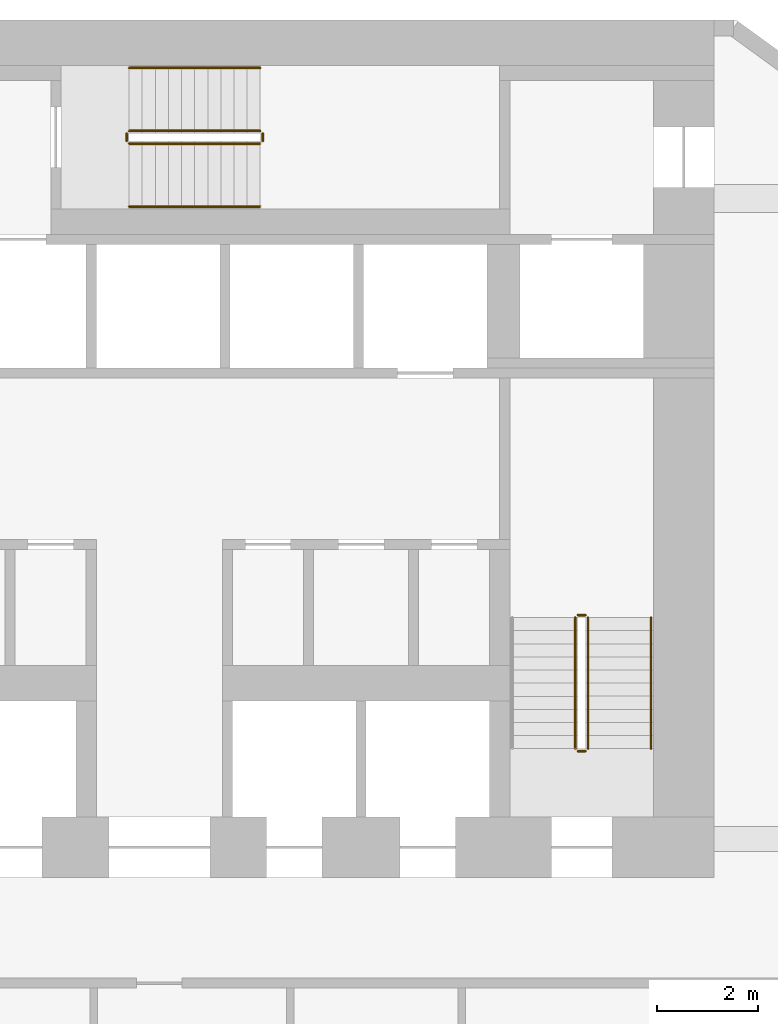
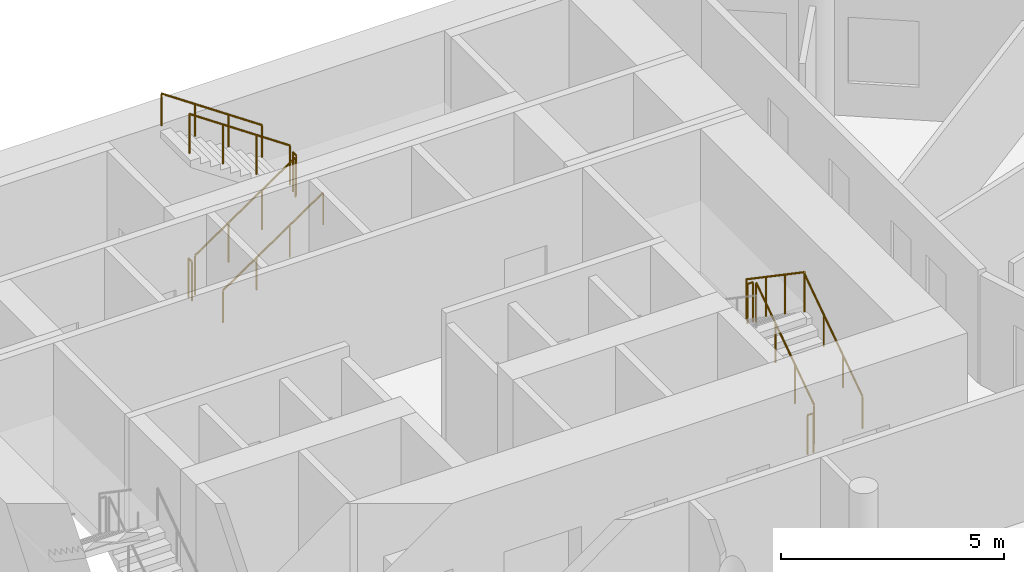
# One storey, part 9 of 9: 11 railings.
"""IFC4 building model written with IfcOpenShell, lengths in metres."""

from ifc_helpers import new_model, si_unit, direction, frame, origin, origin_2d, place, context, subcontext, project, spatial, circle, extrude, material, type_object, element, save


model = new_model("IFC4")

# Units and contexts
model_context = context("Model", 3, precision=1e-05, world=origin(), true_north=direction((0.0, 1.0)))
body_context = subcontext(model_context, "Body", "Model", "MODEL_VIEW")
ifc_project = project(units=[si_unit("LENGTHUNIT", "METRE"), si_unit("AREAUNIT", "SQUARE_METRE"), si_unit("VOLUMEUNIT", "CUBIC_METRE"), si_unit("PLANEANGLEUNIT", "RADIAN"), si_unit("MASSUNIT", "GRAM", prefix="KILO")], contexts=[model_context])

# Site, building, storey
site_placement = place(None, origin())
site = spatial("IfcSite", under=ifc_project, at=site_placement, CompositionType="ELEMENT")
building_placement = place(site_placement, origin())
building = spatial("IfcBuilding", under=site, at=building_placement, Name="White Candle Pilgrim Tower", CompositionType="ELEMENT")
storey_placement = place(building_placement, frame((0.0, 0.0, 58.5)))
storey = spatial("IfcBuildingStorey", under=building, at=storey_placement, Name="L11", CompositionType="ELEMENT", Elevation=58.5)

# Railings
ifc_material = material(Name="Stainless steel", Category="steel")
railing_type_1 = type_object("IfcRailingType", Name="Stair guard stainless steel 1100 mm", PredefinedType="GUARDRAIL", material=ifc_material)
railing_1_placement = place(storey_placement, frame((78.5, 73.550048828125, 0.17724609375)))
element("IfcRailing", 1, at=railing_1_placement, inside=storey, type_object=railing_type_1, Name="L11 ST2 stair guard 1", PredefinedType="GUARDRAIL", context=body_context, shape_type="SweptSolid", body=[
    extrude(circle(Radius=0.02392578125, at=origin_2d()), frame((0.0, 0.0, 1.076171875), z_axis=(0.0, 0.826215852431, 0.563353676824), x_axis=(-1.0, 0.0, 0.0)), (0.0, 0.0, 1.0), 3.146728515625),
    extrude(circle(Radius=0.02099609375, at=origin_2d()), origin(), (0.0, 0.0, 1.0), 1.052001953125),
    extrude(circle(Radius=0.02099609375, at=origin_2d()), frame((0.0, 0.86669921875, 0.5908203125)), (0.0, 0.0, 1.0), 1.052001953125),
    extrude(circle(Radius=0.02099609375, at=origin_2d()), frame((0.0, 1.733154296875, 1.181884765625)), (0.0, 0.0, 1.0), 1.052001953125),
    extrude(circle(Radius=0.02099609375, at=origin_2d()), frame((0.0, 2.599853515625, 1.772705078125)), (0.0, 0.0, 1.0), 1.052001953125),
])
railing_2_placement = place(storey_placement, frame((78.449951171875, 76.199951171875, 1.949951171875)))
element("IfcRailing", 2, at=railing_2_placement, inside=storey, type_object=railing_type_1, Name="L11 ST2 stair guard 2", PredefinedType="GUARDRAIL", context=body_context, shape_type="SweptSolid", body=[
    extrude(circle(Radius=0.02392578125, at=origin_2d()), frame((0.0, 0.0, 1.076171875), z_axis=(-1.0, 0.0, 0.0), x_axis=(0.0, -1.0, 0.0)), (0.0, 0.0, 1.0), 0.14990234375),
    extrude(circle(Radius=0.02099609375, at=origin_2d()), origin(), (0.0, 0.0, 1.0), 1.052001953125),
    extrude(circle(Radius=0.02099609375, at=origin_2d()), frame((-0.14990234375, 0.0, 0.0)), (0.0, 0.0, 1.0), 1.052001953125),
])
railing_3_placement = place(storey_placement, frame((78.25, 76.14990234375, 2.127197265625)))
element("IfcRailing", 3, at=railing_3_placement, inside=storey, type_object=railing_type_1, Name="L11 ST2 stair guard 3", PredefinedType="GUARDRAIL", context=body_context, shape_type="SweptSolid", body=[
    extrude(circle(Radius=0.02392578125, at=origin_2d()), frame((0.0, 0.0, 1.076171875), z_axis=(0.0, -0.826215852431, 0.563353676824), x_axis=(1.0, 0.0, 0.0)), (0.0, 0.0, 1.0), 3.146728515625),
    extrude(circle(Radius=0.02099609375, at=origin_2d()), origin(), (0.0, 0.0, 1.0), 1.052001953125),
    extrude(circle(Radius=0.02099609375, at=origin_2d()), frame((0.0, -0.86669921875, 0.5908203125)), (0.0, 0.0, 1.0), 1.052001953125),
    extrude(circle(Radius=0.02099609375, at=origin_2d()), frame((0.0, -1.733154296875, 1.181884765625)), (0.0, 0.0, 1.0), 1.052001953125),
    extrude(circle(Radius=0.02099609375, at=origin_2d()), frame((0.0, -2.599853515625, 1.772705078125)), (0.0, 0.0, 1.0), 1.052001953125),
])
railing_4_placement = place(storey_placement, frame((78.449951171875, 73.5, 0.0)))
element("IfcRailing", 4, at=railing_4_placement, inside=storey, type_object=railing_type_1, Name="L11 ST2 stair guard 4", PredefinedType="GUARDRAIL", context=body_context, shape_type="SweptSolid", body=[
    extrude(circle(Radius=0.02392578125, at=origin_2d()), frame((0.0, 0.0, 1.076171875), z_axis=(-1.0, 0.0, 0.0), x_axis=(0.0, -1.0, 0.0)), (0.0, 0.0, 1.0), 0.14990234375),
    extrude(circle(Radius=0.02099609375, at=origin_2d()), origin(), (0.0, 0.0, 1.0), 1.052001953125),
    extrude(circle(Radius=0.02099609375, at=origin_2d()), frame((-0.14990234375, 0.0, 0.0)), (0.0, 0.0, 1.0), 1.052001953125),
])
railing_5_placement = place(storey_placement, frame((69.39990234375, 85.550048828125, 0.17724609375)))
element("IfcRailing", 5, at=railing_5_placement, inside=storey, type_object=railing_type_1, Name="L11 ST3 stair guard 1", PredefinedType="GUARDRAIL", context=body_context, shape_type="SweptSolid", body=[
    extrude(circle(Radius=0.02392578125, at=origin_2d()), frame((0.0, 0.0, 1.076171875), z_axis=(0.826240473404, 0.0, 0.563317565952), x_axis=(0.0, 1.0, 0.0)), (0.0, 0.0, 1.0), 3.14697265625),
    extrude(circle(Radius=0.02099609375, at=origin_2d()), origin(), (0.0, 0.0, 1.0), 1.052001953125),
    extrude(circle(Radius=0.02099609375, at=origin_2d()), frame((0.86669921875, 0.0, 0.5908203125)), (0.0, 0.0, 1.0), 1.052001953125),
    extrude(circle(Radius=0.02099609375, at=origin_2d()), frame((1.7333984375, 0.0, 1.181884765625)), (0.0, 0.0, 1.0), 1.052001953125),
    extrude(circle(Radius=0.02099609375, at=origin_2d()), frame((2.60009765625, 0.0, 1.772705078125)), (0.0, 0.0, 1.0), 1.052001953125),
])
railing_6_placement = place(storey_placement, frame((72.050048828125, 85.60009765625, 1.949951171875)))
element("IfcRailing", 6, at=railing_6_placement, inside=storey, type_object=railing_type_1, Name="L11 ST3 stair guard 2", PredefinedType="GUARDRAIL", context=body_context, shape_type="SweptSolid", body=[
    extrude(circle(Radius=0.02392578125, at=origin_2d()), frame((0.0, 0.0, 1.076171875), z_axis=(0.0, 1.0, 0.0), x_axis=(-1.0, 0.0, 0.0)), (0.0, 0.0, 1.0), 0.14990234375),
    extrude(circle(Radius=0.02099609375, at=origin_2d()), origin(), (0.0, 0.0, 1.0), 1.052001953125),
    extrude(circle(Radius=0.02099609375, at=origin_2d()), frame((0.0, 0.14990234375, 0.0)), (0.0, 0.0, 1.0), 1.052001953125),
])
railing_7_placement = place(storey_placement, frame((72.0, 85.800048828125, 2.127197265625)))
element("IfcRailing", 7, at=railing_7_placement, inside=storey, type_object=railing_type_1, Name="L11 ST3 stair guard 3", PredefinedType="GUARDRAIL", context=body_context, shape_type="SweptSolid", body=[
    extrude(circle(Radius=0.02392578125, at=origin_2d()), frame((0.0, 0.0, 1.076171875), z_axis=(-0.826240473404, 0.0, 0.563317565952), x_axis=(0.0, -1.0, 0.0)), (0.0, 0.0, 1.0), 3.14697265625),
    extrude(circle(Radius=0.02099609375, at=origin_2d()), origin(), (0.0, 0.0, 1.0), 1.052001953125),
    extrude(circle(Radius=0.02099609375, at=origin_2d()), frame((-0.86669921875, 0.0, 0.5908203125)), (0.0, 0.0, 1.0), 1.052001953125),
    extrude(circle(Radius=0.02099609375, at=origin_2d()), frame((-1.7333984375, 0.0, 1.181884765625)), (0.0, 0.0, 1.0), 1.052001953125),
    extrude(circle(Radius=0.02099609375, at=origin_2d()), frame((-2.60009765625, 0.0, 1.772705078125)), (0.0, 0.0, 1.0), 1.052001953125),
])
railing_8_placement = place(storey_placement, frame((69.35009765625, 85.60009765625, 0.0)))
element("IfcRailing", 8, at=railing_8_placement, inside=storey, type_object=railing_type_1, Name="L11 ST3 stair guard 4", PredefinedType="GUARDRAIL", context=body_context, shape_type="SweptSolid", body=[
    extrude(circle(Radius=0.02392578125, at=origin_2d()), frame((0.0, 0.0, 1.076171875), z_axis=(0.0, 1.0, 0.0), x_axis=(-1.0, 0.0, 0.0)), (0.0, 0.0, 1.0), 0.14990234375),
    extrude(circle(Radius=0.02099609375, at=origin_2d()), origin(), (0.0, 0.0, 1.0), 1.052001953125),
    extrude(circle(Radius=0.02099609375, at=origin_2d()), frame((0.0, 0.14990234375, 0.0)), (0.0, 0.0, 1.0), 1.052001953125),
])
railing_type_2 = type_object("IfcRailingType", Name="Stair handrail stainless steel", PredefinedType="HANDRAIL", material=ifc_material)
railing_9_placement = place(storey_placement, frame((79.75, 73.550048828125, 0.17724609375)))
element("IfcRailing", 9, at=railing_9_placement, inside=storey, type_object=railing_type_2, Name="L11 ST2 stair handrail 1", PredefinedType="HANDRAIL", context=body_context, shape_type="SweptSolid", body=[
    extrude(circle(Radius=0.02392578125, at=origin_2d()), frame((0.0, 0.0, 0.8759765625), z_axis=(0.0, 0.826215852431, 0.563353676824), x_axis=(-1.0, 0.0, 0.0)), (0.0, 0.0, 1.0), 3.146728515625),
    extrude(circle(Radius=0.02099609375, at=origin_2d()), origin(), (0.0, 0.0, 1.0), 0.851806640625),
    extrude(circle(Radius=0.02099609375, at=origin_2d()), frame((0.0, 0.86669921875, 0.5908203125)), (0.0, 0.0, 1.0), 0.851806640625),
    extrude(circle(Radius=0.02099609375, at=origin_2d()), frame((0.0, 1.733154296875, 1.181884765625)), (0.0, 0.0, 1.0), 0.851806640625),
    extrude(circle(Radius=0.02099609375, at=origin_2d()), frame((0.0, 2.599853515625, 1.772705078125)), (0.0, 0.0, 1.0), 0.851806640625),
])
railing_10_placement = place(storey_placement, frame((69.39990234375, 84.300048828125, 0.17724609375)))
element("IfcRailing", 10, at=railing_10_placement, inside=storey, type_object=railing_type_2, Name="L11 ST3 stair handrail 1", PredefinedType="HANDRAIL", context=body_context, shape_type="SweptSolid", body=[
    extrude(circle(Radius=0.02392578125, at=origin_2d()), frame((0.0, 0.0, 0.8759765625), z_axis=(0.826240473404, 0.0, 0.563317565952), x_axis=(0.0, 1.0, 0.0)), (0.0, 0.0, 1.0), 3.14697265625),
    extrude(circle(Radius=0.02099609375, at=origin_2d()), origin(), (0.0, 0.0, 1.0), 0.851806640625),
    extrude(circle(Radius=0.02099609375, at=origin_2d()), frame((0.86669921875, 0.0, 0.5908203125)), (0.0, 0.0, 1.0), 0.851806640625),
    extrude(circle(Radius=0.02099609375, at=origin_2d()), frame((1.7333984375, 0.0, 1.181884765625)), (0.0, 0.0, 1.0), 0.851806640625),
    extrude(circle(Radius=0.02099609375, at=origin_2d()), frame((2.60009765625, 0.0, 1.772705078125)), (0.0, 0.0, 1.0), 0.851806640625),
])
railing_11_placement = place(storey_placement, frame((72.0, 87.050048828125, 2.127197265625)))
element("IfcRailing", 11, at=railing_11_placement, inside=storey, type_object=railing_type_2, Name="L11 ST3 stair handrail 2", PredefinedType="HANDRAIL", context=body_context, shape_type="SweptSolid", body=[
    extrude(circle(Radius=0.02392578125, at=origin_2d()), frame((0.0, 0.0, 0.8759765625), z_axis=(-0.826240473404, 0.0, 0.563317565952), x_axis=(0.0, -1.0, 0.0)), (0.0, 0.0, 1.0), 3.14697265625),
    extrude(circle(Radius=0.02099609375, at=origin_2d()), origin(), (0.0, 0.0, 1.0), 0.851806640625),
    extrude(circle(Radius=0.02099609375, at=origin_2d()), frame((-0.86669921875, 0.0, 0.5908203125)), (0.0, 0.0, 1.0), 0.851806640625),
    extrude(circle(Radius=0.02099609375, at=origin_2d()), frame((-1.7333984375, 0.0, 1.181884765625)), (0.0, 0.0, 1.0), 0.851806640625),
    extrude(circle(Radius=0.02099609375, at=origin_2d()), frame((-2.60009765625, 0.0, 1.772705078125)), (0.0, 0.0, 1.0), 0.851806640625),
])

save(model, "model.ifc")
